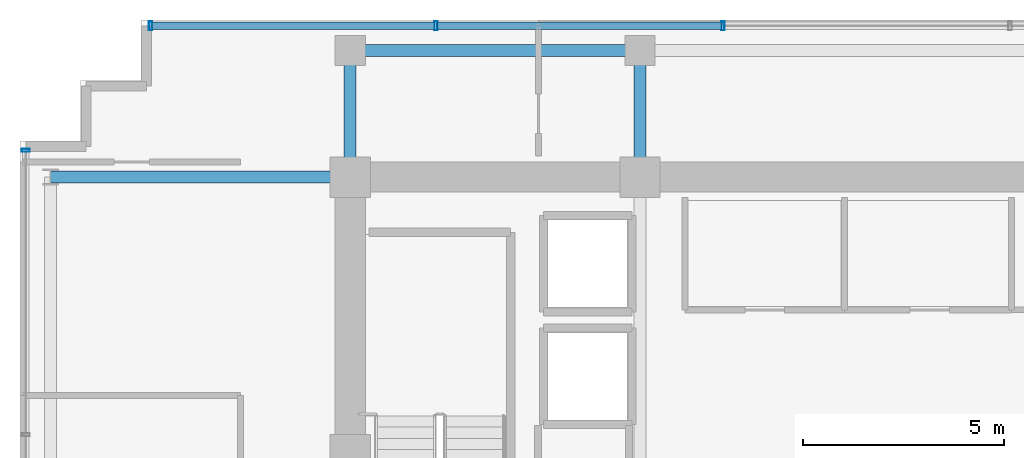
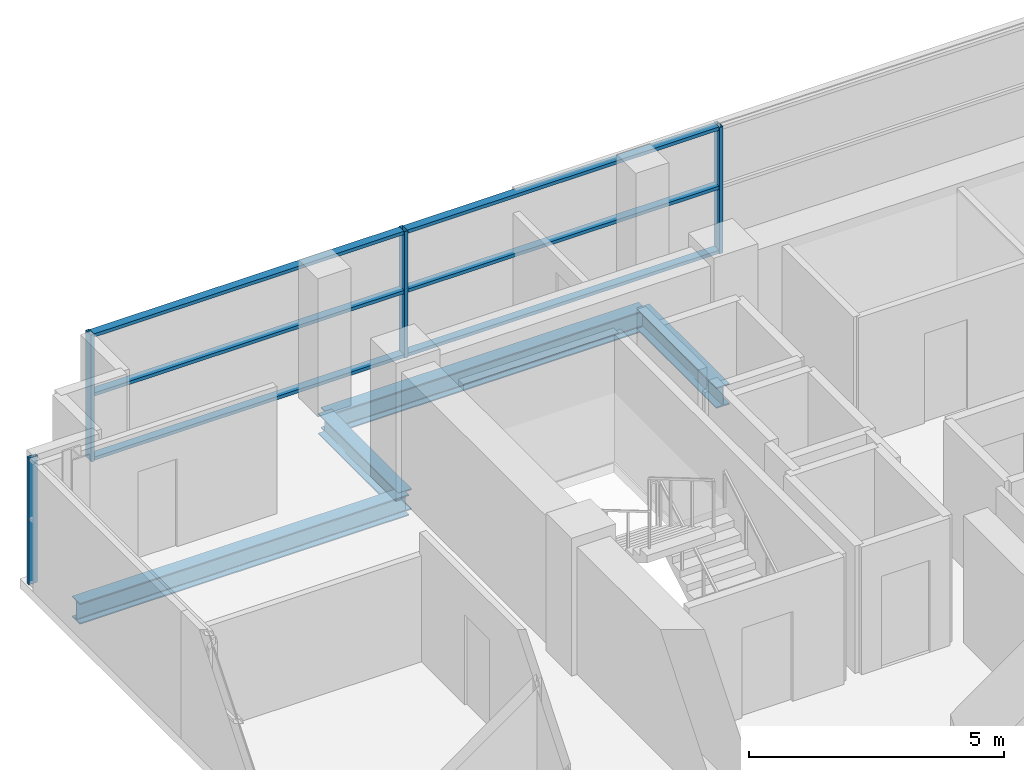
# One storey, part 10 of 22: 10 members, 4 beams, 2 elements without a shape of their own.
"""IFC4 building model written with IfcOpenShell, lengths in metres."""

from ifc_helpers import new_model, si_unit, direction, frame, origin, origin_2d, place, context, subcontext, project, spatial, hollow_rectangle, i_section, extrude, source, transform, mapped, material, layer, layer_set, material_profile, profile_set, type_object, element, aggregate, save


model = new_model("IFC4")

# Units and contexts
model_context = context("Model", 3, precision=1e-05, world=origin(), true_north=direction((0.0, 1.0)))
body_context = subcontext(model_context, "Body", "Model", "MODEL_VIEW")
ifc_project = project(units=[si_unit("LENGTHUNIT", "METRE"), si_unit("AREAUNIT", "SQUARE_METRE"), si_unit("VOLUMEUNIT", "CUBIC_METRE"), si_unit("PLANEANGLEUNIT", "RADIAN"), si_unit("MASSUNIT", "GRAM", prefix="KILO")], contexts=[model_context])

# Site, building, storey
site_placement = place(None, origin())
site = spatial("IfcSite", under=ifc_project, at=site_placement, CompositionType="ELEMENT")
building_placement = place(site_placement, origin())
building = spatial("IfcBuilding", under=site, at=building_placement, Name="Zarnakvel Exchange Tower", CompositionType="ELEMENT")
storey_placement = place(building_placement, frame((0.0, 0.0, 195.699951171875)))
storey = spatial("IfcBuildingStorey", under=building, at=storey_placement, Name="L55", CompositionType="ELEMENT", Elevation=195.699951171875)

# Beams
ifc_material_1 = material(Name="Steel S355", Category="steel")
ifc_material_profile_1 = material_profile(ifc_material_1, i_section(OverallWidth=0.300048828125, OverallDepth=0.5, WebThickness=0.014404296875, FlangeThickness=0.028076171875, FilletRadius=0.027099609375, at=origin_2d()))
ifc_profile_set_1 = profile_set([ifc_material_profile_1], Name="Steel S355")
beam_type_1 = type_object("IfcBeamType", Name="G-06", PredefinedType="BEAM", material=ifc_profile_set_1)
beam_1_placement = place(storey_placement, frame((-21.85009765625, 13.5, -0.474853515625), z_axis=(1.0, 0.0, 0.0), x_axis=(0.0, 1.0, 0.0)))
element("IfcBeam", 1, at=beam_1_placement, inside=storey, type_object=beam_type_1, Name="L55 Tower E-W Frame Beam", PredefinedType="BEAM", context=body_context, shape_type="SweptSolid", body=[
    extrude(i_section(OverallWidth=0.300048828125, OverallDepth=0.5, WebThickness=0.014404296875, FlangeThickness=0.028076171875, FilletRadius=0.027099609375, at=origin_2d()), origin(), (0.0, 0.0, 1.0), 7.4501953125),
])
for number, where, z_axis, x_axis, name in (
    (2, (-14.39990234375, 13.5, -0.474853515625), (0.0, 1.0, 0.0), (-1.0, 0.0, 0.0), "L55 Tower N-S Frame Beam"),
    (3, (-7.199951171875, 13.5, -0.474853515625), (0.0, 1.0, 0.0), (-1.0, 0.0, 0.0), "L55 Tower N-S Frame Beam"),
):
    element("IfcBeam", number, at=place(storey_placement, frame(where, z_axis=z_axis, x_axis=x_axis)), inside=storey, type_object=beam_type_1, Name=name, PredefinedType="BEAM", context=body_context, shape_type="SweptSolid", body=[
        extrude(i_section(OverallWidth=0.300048828125, OverallDepth=0.5, WebThickness=0.014404296875, FlangeThickness=0.028076171875, FilletRadius=0.027099609375, at=origin_2d()), origin(), (0.0, 0.0, 1.0), 3.14990234375),
    ])
ifc_material_profile_2 = material_profile(ifc_material_1, i_section(OverallWidth=0.300048828125, OverallDepth=0.5, WebThickness=0.014404296875, FlangeThickness=0.028076171875, FilletRadius=0.027099609375, at=origin_2d()))
ifc_profile_set_2 = profile_set([ifc_material_profile_2], Name="Steel S355")
beam_type_2 = type_object("IfcBeamType", Name="SP-02", PredefinedType="SPANDREL", material=ifc_profile_set_2)
beam_2_placement = place(storey_placement, frame((-14.39990234375, 16.64990234375, -0.474853515625), z_axis=(1.0, 0.0, 0.0), x_axis=(0.0, 1.0, 0.0)))
element("IfcBeam", 4, at=beam_2_placement, inside=storey, type_object=beam_type_2, Name="L55 Tower E-W Frame Beam", PredefinedType="SPANDREL", context=body_context, shape_type="SweptSolid", body=[
    extrude(i_section(OverallWidth=0.300048828125, OverallDepth=0.5, WebThickness=0.014404296875, FlangeThickness=0.028076171875, FilletRadius=0.027099609375, at=origin_2d()), origin(), (0.0, 0.0, 1.0), 7.199951171875),
])

# Curtain wall, member
ifc_material_2 = material(Name="Architectural Bronze Anodised Aluminium", Category="aluminium")
ifc_layer_1 = layer(ifc_material_2, 0.199951171875)
ifc_layer_set_1 = layer_set([ifc_layer_1], Name="Architectural Bronze Anodised Aluminium")
curtain_wall_type_1 = type_object("IfcCurtainWallType", Name="CW-04", PredefinedType="NOTDEFINED", material=ifc_layer_set_1)
curtain_wall_1_placement = place(storey_placement, origin())
curtain_wall_1 = element("IfcCurtainWall", 5, at=curtain_wall_1_placement, inside=storey, type_object=curtain_wall_type_1, Name="L55 Curtain Wall CW-L55-W1 (CW-04)", PredefinedType="NOTDEFINED")
ifc_material_profile_3 = material_profile(ifc_material_2, hollow_rectangle(XDim=0.199951171875, YDim=0.074951171875, WallThickness=0.0048828125, at=origin_2d()))
ifc_profile_set_3 = profile_set([ifc_material_profile_3], Name="Architectural Bronze Anodised Aluminium")
member_type_1 = type_object("IfcMemberType", Name="CWM-04", PredefinedType="MULLION", material=ifc_profile_set_3)
shared_shape_1 = source(origin(), body_context, "Body", "SweptSolid", [
    extrude(hollow_rectangle(XDim=0.199951171875, YDim=0.074951171875, WallThickness=0.0048828125, at=origin_2d()), origin(), (0.0, 0.0, 1.0), 3.030029296875),
])
member_1_placement = place(storey_placement, frame((-22.4599609375, 14.16259765625, 0.0), z_axis=(0.0, 0.0, 1.0), x_axis=(-1.0, 0.0, 0.0)))
member_1 = element("IfcMember", 6, at=member_1_placement, type_object=member_type_1, Name="CW-04 mullion 5", PredefinedType="MULLION", context=body_context, shape_type="MappedRepresentation", body=[
    mapped(shared_shape_1, transform((0.0, 0.0, 0.0), x_axis=(1.0, 0.0, 0.0), y_axis=(0.0, 1.0, 0.0), z_axis=(0.0, 0.0, 1.0), scale=1.0)),
])
aggregate(curtain_wall_1, [member_1])

# Curtain wall, members
ifc_layer_2 = layer(ifc_material_2, 0.219970703125)
ifc_layer_set_2 = layer_set([ifc_layer_2], Name="Architectural Bronze Anodised Aluminium")
curtain_wall_type_2 = type_object("IfcCurtainWallType", Name="CW-03", PredefinedType="NOTDEFINED", material=ifc_layer_set_2)
curtain_wall_2_placement = place(storey_placement, origin())
curtain_wall_2 = element("IfcCurtainWall", 7, at=curtain_wall_2_placement, inside=storey, type_object=curtain_wall_type_2, Name="L55 Curtain Wall CW-L55-N1 (CW-03)", PredefinedType="NOTDEFINED")
ifc_material_profile_4 = material_profile(ifc_material_2, hollow_rectangle(XDim=0.179931640625, YDim=0.080078125, WallThickness=0.00390625, at=origin_2d()))
ifc_profile_set_4 = profile_set([ifc_material_profile_4], Name="Architectural Bronze Anodised Aluminium")
member_type_2 = type_object("IfcMemberType", Name="CWT-03", PredefinedType="USERDEFINED", material=ifc_profile_set_4)
shared_shape_2 = source(origin(), body_context, "Body", "SweptSolid", [
    extrude(hollow_rectangle(XDim=0.179931640625, YDim=0.080078125, WallThickness=0.00390625, at=origin_2d()), origin(), (0.0, 0.0, 1.0), 7.013427734375),
])
member_2_placement = place(storey_placement, frame((-19.320068359375, 17.260009765625, 0.0400390625), z_axis=(1.0, 0.0, 0.0), x_axis=(0.0, 1.0, 0.0)))
member_2 = element("IfcMember", 8, at=member_2_placement, type_object=member_type_2, Name="CW-03 transom 1.1", ObjectType="TRANSOM", PredefinedType="USERDEFINED", context=body_context, shape_type="MappedRepresentation", body=[
    mapped(shared_shape_2, transform((0.0, 0.0, 0.0), x_axis=(1.0, 0.0, 0.0), y_axis=(0.0, 1.0, 0.0), z_axis=(0.0, 0.0, 1.0), scale=1.0)),
])
member_3_placement = place(storey_placement, frame((-19.320068359375, 17.260009765625, 1.57568359375), z_axis=(1.0, 0.0, 0.0), x_axis=(0.0, 1.0, 0.0)))
member_3 = element("IfcMember", 9, at=member_3_placement, type_object=member_type_2, Name="CW-03 transom 1.2", ObjectType="TRANSOM", PredefinedType="USERDEFINED", context=body_context, shape_type="MappedRepresentation", body=[
    mapped(shared_shape_2, transform((0.0, 0.0, 0.0), x_axis=(1.0, 0.0, 0.0), y_axis=(0.0, 1.0, 0.0), z_axis=(0.0, 0.0, 1.0), scale=1.0)),
])
member_4_placement = place(storey_placement, frame((-19.320068359375, 17.260009765625, 2.989990234375), z_axis=(1.0, 0.0, 0.0), x_axis=(0.0, 1.0, 0.0)))
member_4 = element("IfcMember", 10, at=member_4_placement, type_object=member_type_2, Name="CW-03 transom 1.3", ObjectType="TRANSOM", PredefinedType="USERDEFINED", context=body_context, shape_type="MappedRepresentation", body=[
    mapped(shared_shape_2, transform((0.0, 0.0, 0.0), x_axis=(1.0, 0.0, 0.0), y_axis=(0.0, 1.0, 0.0), z_axis=(0.0, 0.0, 1.0), scale=1.0)),
])
shared_shape_3 = source(origin(), body_context, "Body", "SweptSolid", [
    extrude(hollow_rectangle(XDim=0.179931640625, YDim=0.080078125, WallThickness=0.00390625, at=origin_2d()), origin(), (0.0, 0.0, 1.0), 7.05322265625),
])
member_5_placement = place(storey_placement, frame((-12.2265625, 17.260009765625, 0.0400390625), z_axis=(1.0, 0.0, 0.0), x_axis=(0.0, 1.0, 0.0)))
member_5 = element("IfcMember", 11, at=member_5_placement, type_object=member_type_2, Name="CW-03 transom 2.1", ObjectType="TRANSOM", PredefinedType="USERDEFINED", context=body_context, shape_type="MappedRepresentation", body=[
    mapped(shared_shape_3, transform((0.0, 0.0, 0.0), x_axis=(1.0, 0.0, 0.0), y_axis=(0.0, 1.0, 0.0), z_axis=(0.0, 0.0, 1.0), scale=1.0)),
])
member_6_placement = place(storey_placement, frame((-12.2265625, 17.260009765625, 1.57568359375), z_axis=(1.0, 0.0, 0.0), x_axis=(0.0, 1.0, 0.0)))
member_6 = element("IfcMember", 12, at=member_6_placement, type_object=member_type_2, Name="CW-03 transom 2.2", ObjectType="TRANSOM", PredefinedType="USERDEFINED", context=body_context, shape_type="MappedRepresentation", body=[
    mapped(shared_shape_3, transform((0.0, 0.0, 0.0), x_axis=(1.0, 0.0, 0.0), y_axis=(0.0, 1.0, 0.0), z_axis=(0.0, 0.0, 1.0), scale=1.0)),
])
member_7_placement = place(storey_placement, frame((-12.2265625, 17.260009765625, 2.989990234375), z_axis=(1.0, 0.0, 0.0), x_axis=(0.0, 1.0, 0.0)))
member_7 = element("IfcMember", 13, at=member_7_placement, type_object=member_type_2, Name="CW-03 transom 2.3", ObjectType="TRANSOM", PredefinedType="USERDEFINED", context=body_context, shape_type="MappedRepresentation", body=[
    mapped(shared_shape_3, transform((0.0, 0.0, 0.0), x_axis=(1.0, 0.0, 0.0), y_axis=(0.0, 1.0, 0.0), z_axis=(0.0, 0.0, 1.0), scale=1.0)),
])
ifc_material_profile_5 = material_profile(ifc_material_2, hollow_rectangle(XDim=0.219970703125, YDim=0.080078125, WallThickness=0.0048828125, at=origin_2d()))
ifc_profile_set_5 = profile_set([ifc_material_profile_5], Name="Architectural Bronze Anodised Aluminium")
member_type_3 = type_object("IfcMemberType", Name="CWM-03", PredefinedType="MULLION", material=ifc_profile_set_5)
shared_shape_4 = source(origin(), body_context, "Body", "SweptSolid", [
    extrude(hollow_rectangle(XDim=0.219970703125, YDim=0.080078125, WallThickness=0.0048828125, at=origin_2d()), origin(), (0.0, 0.0, 1.0), 3.030029296875),
])
member_8_placement = place(storey_placement, frame((-19.360107421875, 17.260009765625, 0.0), z_axis=(0.0, 0.0, 1.0), x_axis=(0.0, 1.0, 0.0)))
member_8 = element("IfcMember", 14, at=member_8_placement, type_object=member_type_3, Name="CW-03 mullion 1", PredefinedType="MULLION", context=body_context, shape_type="MappedRepresentation", body=[
    mapped(shared_shape_4, transform((0.0, 0.0, 0.0), x_axis=(1.0, 0.0, 0.0), y_axis=(0.0, 1.0, 0.0), z_axis=(0.0, 0.0, 1.0), scale=1.0)),
])
member_9_placement = place(storey_placement, frame((-12.2666015625, 17.260009765625, 0.0), z_axis=(0.0, 0.0, 1.0), x_axis=(0.0, 1.0, 0.0)))
member_9 = element("IfcMember", 15, at=member_9_placement, type_object=member_type_3, Name="CW-03 mullion 2", PredefinedType="MULLION", context=body_context, shape_type="MappedRepresentation", body=[
    mapped(shared_shape_4, transform((0.0, 0.0, 0.0), x_axis=(1.0, 0.0, 0.0), y_axis=(0.0, 1.0, 0.0), z_axis=(0.0, 0.0, 1.0), scale=1.0)),
])
member_10_placement = place(storey_placement, frame((-5.13330078125, 17.260009765625, 0.0), z_axis=(0.0, 0.0, 1.0), x_axis=(0.0, 1.0, 0.0)))
member_10 = element("IfcMember", 16, at=member_10_placement, type_object=member_type_3, Name="CW-03 mullion 3", PredefinedType="MULLION", context=body_context, shape_type="MappedRepresentation", body=[
    mapped(shared_shape_4, transform((0.0, 0.0, 0.0), x_axis=(1.0, 0.0, 0.0), y_axis=(0.0, 1.0, 0.0), z_axis=(0.0, 0.0, 1.0), scale=1.0)),
])
aggregate(curtain_wall_2, [member_8, member_9, member_10, member_2, member_3, member_4, member_5, member_6, member_7])

save(model, "model.ifc")
